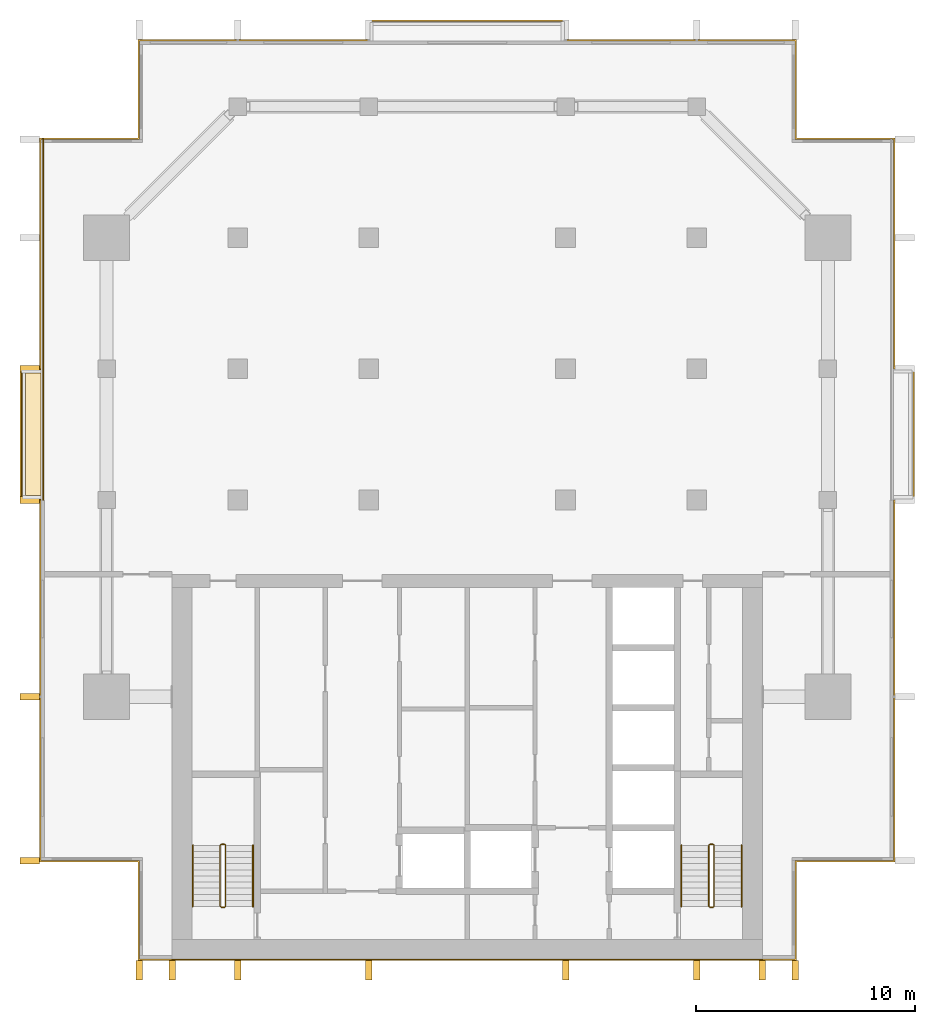
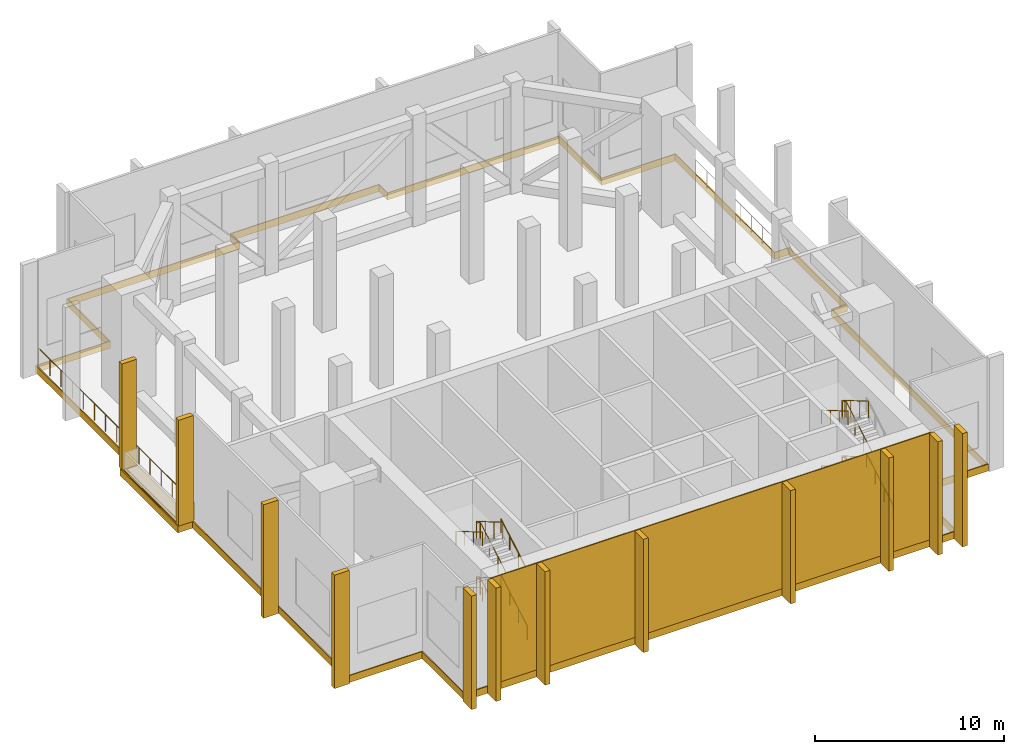
# One storey, part 8 of 9: 12 shading devices, 10 railings, 7 coverings.
"""IFC4 building model written with IfcOpenShell, lengths in metres."""

from ifc_helpers import new_model, si_unit, direction, frame, origin, origin_2d, place, context, subcontext, project, spatial, polyline, rectangle, circle, outline, extrude, material, layer, layer_set, type_object, element, save


model = new_model("IFC4")

# Units and contexts
model_context = context("Model", 3, precision=1e-05, world=origin(), true_north=direction((0.0, 1.0)))
body_context = subcontext(model_context, "Body", "Model", "MODEL_VIEW")
ifc_project = project(units=[si_unit("LENGTHUNIT", "METRE"), si_unit("AREAUNIT", "SQUARE_METRE"), si_unit("VOLUMEUNIT", "CUBIC_METRE"), si_unit("PLANEANGLEUNIT", "RADIAN"), si_unit("MASSUNIT", "GRAM", prefix="KILO")], contexts=[model_context])

# Site, building, storey
site_placement = place(None, origin())
site = spatial("IfcSite", under=ifc_project, at=site_placement, CompositionType="ELEMENT")
building_placement = place(site_placement, origin())
building = spatial("IfcBuilding", under=site, at=building_placement, Name="Finial Court Residences", CompositionType="ELEMENT")
storey_placement = place(building_placement, frame((0.0, 0.0, 248.300048828125)))
storey = spatial("IfcBuildingStorey", under=building, at=storey_placement, Name="L63", CompositionType="ELEMENT", Elevation=248.300048828125)

# Coverings
ifc_material_1 = material(Name="Natural limestone", Category="masonry")
ifc_layer_1 = layer(ifc_material_1, 0.06005859375)
ifc_layer_set_1 = layer_set([ifc_layer_1], Name="Limestone cladding to the blind core face 60")
covering_type_1 = type_object("IfcCoveringType", Name="Limestone cladding to the blind core face 60", PredefinedType="CLADDING", material=ifc_layer_set_1)
covering_1_placement = place(storey_placement, origin())
element("IfcCovering", 1, at=covering_1_placement, inside=storey, type_object=covering_type_1, Name="E-L63-CLAD1", PredefinedType="CLADDING", context=body_context, shape_type="SweptSolid", body=[
    extrude(outline(polyline([(-10.5, -25.56005859375), (-10.5, -25.5), (-13.5, -25.5), (-13.5, -25.56005859375), (-10.5, -25.56005859375)])), origin(), (0.0, 0.0, 1.0), 6.89990234375),
])
covering_2_placement = place(storey_placement, origin())
element("IfcCovering", 2, at=covering_2_placement, inside=storey, type_object=covering_type_1, Name="E-L63-CLAD2", PredefinedType="CLADDING", context=body_context, shape_type="SweptSolid", body=[
    extrude(outline(polyline([(-4.5, -25.56005859375), (-4.5, -25.5), (-10.5, -25.5), (-10.5, -25.56005859375), (-4.5, -25.56005859375)])), origin(), (0.0, 0.0, 1.0), 6.89990234375),
])
covering_3_placement = place(storey_placement, origin())
element("IfcCovering", 3, at=covering_3_placement, inside=storey, type_object=covering_type_1, Name="E-L63-CLAD3", PredefinedType="CLADDING", context=body_context, shape_type="SweptSolid", body=[
    extrude(outline(polyline([(4.5, -25.56005859375), (4.5, -25.5), (-4.5, -25.5), (-4.5, -25.56005859375), (4.5, -25.56005859375)])), origin(), (0.0, 0.0, 1.0), 6.89990234375),
])
covering_4_placement = place(storey_placement, origin())
element("IfcCovering", 4, at=covering_4_placement, inside=storey, type_object=covering_type_1, Name="E-L63-CLAD4", PredefinedType="CLADDING", context=body_context, shape_type="SweptSolid", body=[
    extrude(outline(polyline([(10.5, -25.56005859375), (10.5, -25.5), (4.5, -25.5), (4.5, -25.56005859375), (10.5, -25.56005859375)])), origin(), (0.0, 0.0, 1.0), 6.89990234375),
])
covering_5_placement = place(storey_placement, origin())
element("IfcCovering", 5, at=covering_5_placement, inside=storey, type_object=covering_type_1, Name="E-L63-CLAD5", PredefinedType="CLADDING", context=body_context, shape_type="SweptSolid", body=[
    extrude(outline(polyline([(13.5, -25.56005859375), (13.5, -25.5), (10.5, -25.5), (10.5, -25.56005859375), (13.5, -25.56005859375)])), origin(), (0.0, 0.0, 1.0), 6.89990234375),
])

# Shading devices
shading_device_type = type_object("IfcShadingDeviceType", Name="Limestone fin 300 x 900", PredefinedType="USERDEFINED", material=ifc_material_1)
for number, where, z_axis, x_axis, name in (
    (6, (-15.0, -26.010009765625, -0.4501953125), (0.0, 0.0, 1.0), (1.0, 0.0, 0.0), "E-L63-FIN-S13"),
    (7, (-13.5, -26.010009765625, -0.4501953125), (0.0, 0.0, 1.0), (1.0, 0.0, 0.0), "E-L63-FIN-S14"),
    (8, (-10.5, -26.010009765625, -0.4501953125), (0.0, 0.0, 1.0), (1.0, 0.0, 0.0), "E-L63-FIN-S15"),
    (9, (-4.5, -26.010009765625, -0.4501953125), (0.0, 0.0, 1.0), (1.0, 0.0, 0.0), "E-L63-FIN-S16"),
    (10, (4.5, -26.010009765625, -0.4501953125), (0.0, 0.0, 1.0), (1.0, 0.0, 0.0), "E-L63-FIN-S17"),
    (11, (10.5, -26.010009765625, -0.4501953125), (0.0, 0.0, 1.0), (1.0, 0.0, 0.0), "E-L63-FIN-S18"),
    (12, (13.5, -26.010009765625, -0.4501953125), (0.0, 0.0, 1.0), (1.0, 0.0, 0.0), "E-L63-FIN-S19"),
    (13, (15.0, -26.010009765625, -0.4501953125), (0.0, 0.0, 1.0), (1.0, 0.0, 0.0), "E-L63-FIN-S20"),
):
    element("IfcShadingDevice", number, at=place(storey_placement, frame(where, z_axis=z_axis, x_axis=x_axis)), inside=storey, type_object=shading_device_type, Name=name, ObjectType="FIN", PredefinedType="USERDEFINED", context=body_context, shape_type="SweptSolid", body=[
        extrude(rectangle(XDim=0.300048828125, YDim=0.89990234375, at=origin_2d()), origin(), (0.0, 0.0, 1.0), 7.330078125),
    ])
for number, where, z_axis, x_axis, name in (
    (14, (-20.010009765625, -21.0, -0.4501953125), (0.0, 0.0, 1.0), (1.0, 0.0, 0.0), "E-L63-FIN-W21"),
    (15, (-20.010009765625, -13.5, -0.4501953125), (0.0, 0.0, 1.0), (1.0, 0.0, 0.0), "E-L63-FIN-W22"),
):
    element("IfcShadingDevice", number, at=place(storey_placement, frame(where, z_axis=z_axis, x_axis=x_axis)), inside=storey, type_object=shading_device_type, Name=name, ObjectType="FIN", PredefinedType="USERDEFINED", context=body_context, shape_type="SweptSolid", body=[
        extrude(rectangle(XDim=0.89990234375, YDim=0.300048828125, at=origin_2d()), origin(), (0.0, 0.0, 1.0), 7.330078125),
    ])
for number, where, z_axis, x_axis, name in (
    (16, (-20.010009765625, -4.5, 0.0400390625), (0.0, 0.0, 1.0), (1.0, 0.0, 0.0), "E-L63-FIN-W23"),
    (17, (-20.010009765625, 1.5, 0.0400390625), (0.0, 0.0, 1.0), (1.0, 0.0, 0.0), "E-L63-FIN-W24"),
):
    element("IfcShadingDevice", number, at=place(storey_placement, frame(where, z_axis=z_axis, x_axis=x_axis)), inside=storey, type_object=shading_device_type, Name=name, ObjectType="FIN", PredefinedType="USERDEFINED", context=body_context, shape_type="SweptSolid", body=[
        extrude(rectangle(XDim=0.89990234375, YDim=0.300048828125, at=origin_2d()), origin(), (0.0, 0.0, 1.0), 6.840087890625),
    ])

# Coverings
ifc_material_2 = material(Name="Pale limestone", Category="masonry")
ifc_layer_2 = layer(ifc_material_2, 0.06005859375)
ifc_layer_set_2 = layer_set([ifc_layer_2], Name="Pale limestone slab-edge band 60")
covering_type_2 = type_object("IfcCoveringType", Name="Pale limestone slab-edge band 60", PredefinedType="CLADDING", material=ifc_layer_set_2)
covering_6_placement = place(storey_placement, frame((0.0, 0.0, -0.449951171875)))
element("IfcCovering", 18, at=covering_6_placement, inside=storey, type_object=covering_type_2, Name="E-L63-BAND1", PredefinedType="CLADDING", context=body_context, shape_type="SweptSolid", body=[
    extrude(outline(polyline([(-15.06005859375, -21.06005859375), (-19.56005859375, -21.06005859375), (-19.56005859375, -4.56005859375), (-20.4599609375, -4.56005859375), (-20.4599609375, 1.56005859375), (-19.56005859375, 1.56005859375), (-19.56005859375, 12.06005859375), (-15.06005859375, 12.06005859375), (-15.06005859375, 16.56005859375), (-4.56005859375, 16.56005859375), (-4.56005859375, 17.4599609375), (4.56005859375, 17.4599609375), (4.56005859375, 16.56005859375), (15.06005859375, 16.56005859375), (15.06005859375, 12.06005859375), (19.56005859375, 12.06005859375), (19.56005859375, 1.56005859375), (20.4599609375, 1.56005859375), (20.4599609375, -4.56005859375), (19.56005859375, -4.56005859375), (19.56005859375, -21.06005859375), (15.06005859375, -21.06005859375), (15.06005859375, -25.56005859375), (-15.06005859375, -25.56005859375), (-15.06005859375, -21.06005859375)]), holes=[polyline([(15.0, -25.5), (15.0, -21.0), (19.5, -21.0), (19.5, -4.5), (20.39990234375, -4.5), (20.39990234375, 1.5), (19.5, 1.5), (19.5, 12.0), (15.0, 12.0), (15.0, 16.5), (4.5, 16.5), (4.5, 17.39990234375), (-4.5, 17.39990234375), (-4.5, 16.5), (-15.0, 16.5), (-15.0, 12.0), (-19.5, 12.0), (-19.5, 1.5), (-20.39990234375, 1.5), (-20.39990234375, -4.5), (-19.5, -4.5), (-19.5, -21.0), (-15.0, -21.0), (-15.0, -25.5), (15.0, -25.5)])]), origin(), (0.0, 0.0, 1.0), 0.449951171875),
])
ifc_material_3 = material(Name="Bitumen membrane")
ifc_layer_3 = layer(ifc_material_3, 0.0400390625)
ifc_layer_set_3 = layer_set([ifc_layer_3], Name="Push box roofing, bitumen membrane 40")
covering_type_3 = type_object("IfcCoveringType", Name="Push box roofing, bitumen membrane 40", PredefinedType="ROOFING", material=ifc_layer_set_3)
covering_7_placement = place(storey_placement, origin())
element("IfcCovering", 19, at=covering_7_placement, inside=storey, type_object=covering_type_3, Name="E-L63-LED1b", PredefinedType="ROOFING", context=body_context, shape_type="SweptSolid", body=[
    extrude(outline(polyline([(-19.5, 1.5), (-19.5, -4.5), (-20.39990234375, -4.5), (-20.39990234375, 1.300048828125), (-20.35009765625, 1.300048828125), (-20.35009765625, -4.300048828125), (-20.35009765625, -4.300048828125), (-20.35009765625, -4.449951171875), (-19.510009765625, -4.449951171875), (-19.510009765625, -4.300048828125), (-20.199951171875, -4.300048828125), (-20.199951171875, 1.300048828125), (-19.510009765625, 1.300048828125), (-19.510009765625, 1.449951171875), (-20.199951171875, 1.449951171875), (-20.199951171875, 1.5), (-19.5, 1.5)])), origin(), (0.0, 0.0, 1.0), 0.0400390625),
])

# Railings
ifc_material_4 = material(Name="Stainless steel railing", Category="steel")
railing_type_1 = type_object("IfcRailingType", Name="Stair guard 1100", PredefinedType="GUARDRAIL", material=ifc_material_4)
railing_1_placement = place(storey_placement, frame((-11.10009765625, -23.14990234375, 0.0)))
element("IfcRailing", 20, at=railing_1_placement, inside=storey, type_object=railing_type_1, Name="L63 ST-1 stair guard 1", PredefinedType="GUARDRAIL", context=body_context, shape_type="SweptSolid", body=[
    extrude(circle(Radius=0.02392578125, at=origin_2d()), frame((0.0, 0.0, 1.076171875), z_axis=(-1.0, 0.0, 0.0), x_axis=(0.0, -1.0, 0.0)), (0.0, 0.0, 1.0), 0.14990234375),
    extrude(circle(Radius=0.02392578125, at=origin_2d()), frame((-0.14990234375, 0.0, 1.076171875), z_axis=(0.760004195007, 0.189305074214, 0.621737253547), x_axis=(-0.241699205484, 0.970351222016, 0.0)), (0.0, 0.0, 1.0), 0.26318359375),
    extrude(circle(Radius=0.02392578125, at=origin_2d()), frame((0.050048828125, 0.0498046875, 1.23974609375), z_axis=(0.0, 0.863360870873, 0.504586966384), x_axis=(-1.0, 0.0, 0.0)), (0.0, 0.0, 1.0), 3.2431640625),
    extrude(circle(Radius=0.02392578125, at=origin_2d()), frame((0.050048828125, 2.849853515625, 2.8759765625), z_axis=(-0.707106781187, 0.707106781187, 0.0), x_axis=(-0.707106781187, -0.707106781187, 0.0)), (0.0, 0.0, 1.0), 0.07080078125),
    extrude(circle(Radius=0.02392578125, at=origin_2d()), frame((0.0, 2.89990234375, 2.8759765625), z_axis=(-1.0, 0.0, 0.0), x_axis=(0.0, -1.0, 0.0)), (0.0, 0.0, 1.0), 0.14990234375),
    extrude(circle(Radius=0.02392578125, at=origin_2d()), frame((-0.14990234375, 2.89990234375, 2.8759765625), z_axis=(-0.280808744504, -0.280808744504, 0.917765164963), x_axis=(0.707106781187, -0.707106781187, 0.0)), (0.0, 0.0, 1.0), 0.17822265625),
    extrude(circle(Radius=0.02392578125, at=origin_2d()), frame((-0.199951171875, 2.849853515625, 3.03955078125), z_axis=(0.0, -0.863393664356, 0.504530851732), x_axis=(1.0, 0.0, 0.0)), (0.0, 0.0, 1.0), 3.2431640625),
    extrude(circle(Radius=0.02392578125, at=origin_2d()), frame((-0.199951171875, 0.0498046875, 4.67578125), z_axis=(0.970351222016, -0.241699205484, 0.0), x_axis=(0.241699205484, 0.970351222016, 0.0)), (0.0, 0.0, 1.0), 0.2060546875),
    extrude(circle(Radius=0.02392578125, at=origin_2d()), frame((0.0, 0.0, 4.67578125), z_axis=(-1.0, 0.0, 0.0), x_axis=(0.0, -1.0, 0.0)), (0.0, 0.0, 1.0), 0.14990234375),
    extrude(circle(Radius=0.02392578125, at=origin_2d()), frame((-0.14990234375, 0.0, 4.67578125), z_axis=(0.759565762229, 0.189195867515, 0.622306015208), x_axis=(-0.241699205484, 0.970351222016, 0.0)), (0.0, 0.0, 1.0), 0.26318359375),
    extrude(circle(Radius=0.02392578125, at=origin_2d()), frame((0.050048828125, 0.0498046875, 4.83984375), z_axis=(0.0, 0.863393664356, 0.504530851732), x_axis=(-1.0, 0.0, 0.0)), (0.0, 0.0, 1.0), 3.2431640625),
    extrude(circle(Radius=0.02392578125, at=origin_2d()), frame((0.050048828125, 2.849853515625, 6.47607421875), z_axis=(-0.707106781187, 0.707106781187, 0.0), x_axis=(-0.707106781187, -0.707106781187, 0.0)), (0.0, 0.0, 1.0), 0.07080078125),
    extrude(circle(Radius=0.02392578125, at=origin_2d()), frame((0.0, 2.89990234375, 6.47607421875), z_axis=(-1.0, 0.0, 0.0), x_axis=(0.0, -1.0, 0.0)), (0.0, 0.0, 1.0), 0.14990234375),
    extrude(circle(Radius=0.02392578125, at=origin_2d()), frame((-0.14990234375, 2.89990234375, 6.47607421875), z_axis=(-0.280808744504, -0.280808744504, 0.917765164963), x_axis=(0.707106781187, -0.707106781187, 0.0)), (0.0, 0.0, 1.0), 0.17822265625),
    extrude(circle(Radius=0.02392578125, at=origin_2d()), frame((-0.199951171875, 2.849853515625, 6.6396484375), z_axis=(0.0, -0.863360870873, 0.504586966384), x_axis=(1.0, 0.0, 0.0)), (0.0, 0.0, 1.0), 3.2431640625),
    extrude(circle(Radius=0.02099609375, at=origin_2d()), origin(), (0.0, 0.0, 1.0), 1.052001953125),
    extrude(circle(Radius=0.02099609375, at=origin_2d()), frame((-0.14990234375, 0.0, 0.0)), (0.0, 0.0, 1.0), 1.052001953125),
    extrude(circle(Radius=0.02099609375, at=origin_2d()), frame((0.050048828125, 0.0498046875, 0.16357421875)), (0.0, 0.0, 1.0), 1.052001953125),
    extrude(circle(Radius=0.02099609375, at=origin_2d()), frame((0.050048828125, 0.983154296875, 0.708984375)), (0.0, 0.0, 1.0), 1.052001953125),
    extrude(circle(Radius=0.02099609375, at=origin_2d()), frame((0.050048828125, 1.91650390625, 1.254638671875)), (0.0, 0.0, 1.0), 1.052001953125),
    extrude(circle(Radius=0.02099609375, at=origin_2d()), frame((0.050048828125, 2.849853515625, 1.800048828125)), (0.0, 0.0, 1.0), 1.052001953125),
    extrude(circle(Radius=0.02099609375, at=origin_2d()), frame((0.0, 2.89990234375, 1.800048828125)), (0.0, 0.0, 1.0), 1.052001953125),
    extrude(circle(Radius=0.02099609375, at=origin_2d()), frame((-0.14990234375, 2.89990234375, 1.800048828125)), (0.0, 0.0, 1.0), 1.052001953125),
    extrude(circle(Radius=0.02099609375, at=origin_2d()), frame((-0.199951171875, 2.849853515625, 1.963623046875)), (0.0, 0.0, 1.0), 1.052001953125),
    extrude(circle(Radius=0.02099609375, at=origin_2d()), frame((-0.199951171875, 1.91650390625, 2.509033203125)), (0.0, 0.0, 1.0), 1.052001953125),
    extrude(circle(Radius=0.02099609375, at=origin_2d()), frame((-0.199951171875, 0.983154296875, 3.054443359375)), (0.0, 0.0, 1.0), 1.052001953125),
    extrude(circle(Radius=0.02099609375, at=origin_2d()), frame((-0.199951171875, 0.0498046875, 3.599853515625)), (0.0, 0.0, 1.0), 1.052001953125),
    extrude(circle(Radius=0.02099609375, at=origin_2d()), frame((0.0, 0.0, 3.599853515625)), (0.0, 0.0, 1.0), 1.052001953125),
    extrude(circle(Radius=0.02099609375, at=origin_2d()), frame((-0.14990234375, 0.0, 3.599853515625)), (0.0, 0.0, 1.0), 1.052001953125),
    extrude(circle(Radius=0.02099609375, at=origin_2d()), frame((0.050048828125, 0.0498046875, 3.763671875)), (0.0, 0.0, 1.0), 1.052001953125),
    extrude(circle(Radius=0.02099609375, at=origin_2d()), frame((0.050048828125, 0.983154296875, 4.30908203125)), (0.0, 0.0, 1.0), 1.052001953125),
    extrude(circle(Radius=0.02099609375, at=origin_2d()), frame((0.050048828125, 1.91650390625, 4.8544921875)), (0.0, 0.0, 1.0), 1.052001953125),
    extrude(circle(Radius=0.02099609375, at=origin_2d()), frame((0.050048828125, 2.849853515625, 5.39990234375)), (0.0, 0.0, 1.0), 1.052001953125),
    extrude(circle(Radius=0.02099609375, at=origin_2d()), frame((0.0, 2.89990234375, 5.39990234375)), (0.0, 0.0, 1.0), 1.052001953125),
    extrude(circle(Radius=0.02099609375, at=origin_2d()), frame((-0.14990234375, 2.89990234375, 5.39990234375)), (0.0, 0.0, 1.0), 1.052001953125),
    extrude(circle(Radius=0.02099609375, at=origin_2d()), frame((-0.199951171875, 2.849853515625, 5.5634765625)), (0.0, 0.0, 1.0), 1.052001953125),
    extrude(circle(Radius=0.02099609375, at=origin_2d()), frame((-0.199951171875, 1.91650390625, 6.10888671875)), (0.0, 0.0, 1.0), 1.052001953125),
    extrude(circle(Radius=0.02099609375, at=origin_2d()), frame((-0.199951171875, 0.983154296875, 6.654541015625)), (0.0, 0.0, 1.0), 1.052001953125),
    extrude(circle(Radius=0.02099609375, at=origin_2d()), frame((-0.199951171875, 0.0498046875, 7.199951171875)), (0.0, 0.0, 1.0), 1.052001953125),
])
railing_2_placement = place(storey_placement, frame((11.25, -23.14990234375, 0.0)))
element("IfcRailing", 21, at=railing_2_placement, inside=storey, type_object=railing_type_1, Name="L63 ST-2 stair guard 1", PredefinedType="GUARDRAIL", context=body_context, shape_type="SweptSolid", body=[
    extrude(circle(Radius=0.02392578125, at=origin_2d()), frame((0.0, 0.0, 1.076171875), z_axis=(-1.0, 0.0, 0.0), x_axis=(0.0, -1.0, 0.0)), (0.0, 0.0, 1.0), 0.14990234375),
    extrude(circle(Radius=0.02392578125, at=origin_2d()), frame((-0.14990234375, 0.0, 1.076171875), z_axis=(0.760004195007, 0.189305074214, 0.621737253547), x_axis=(-0.241699205484, 0.970351222016, 0.0)), (0.0, 0.0, 1.0), 0.26318359375),
    extrude(circle(Radius=0.02392578125, at=origin_2d()), frame((0.050048828125, 0.0498046875, 1.23974609375), z_axis=(0.0, 0.863360870873, 0.504586966384), x_axis=(-1.0, 0.0, 0.0)), (0.0, 0.0, 1.0), 3.2431640625),
    extrude(circle(Radius=0.02392578125, at=origin_2d()), frame((0.050048828125, 2.849853515625, 2.8759765625), z_axis=(-0.707106781187, 0.707106781187, 0.0), x_axis=(-0.707106781187, -0.707106781187, 0.0)), (0.0, 0.0, 1.0), 0.07080078125),
    extrude(circle(Radius=0.02392578125, at=origin_2d()), frame((0.0, 2.89990234375, 2.8759765625), z_axis=(-1.0, 0.0, 0.0), x_axis=(0.0, -1.0, 0.0)), (0.0, 0.0, 1.0), 0.14990234375),
    extrude(circle(Radius=0.02392578125, at=origin_2d()), frame((-0.14990234375, 2.89990234375, 2.8759765625), z_axis=(-0.280808744504, -0.280808744504, 0.917765164963), x_axis=(0.707106781187, -0.707106781187, 0.0)), (0.0, 0.0, 1.0), 0.17822265625),
    extrude(circle(Radius=0.02392578125, at=origin_2d()), frame((-0.199951171875, 2.849853515625, 3.03955078125), z_axis=(0.0, -0.863393664356, 0.504530851732), x_axis=(1.0, 0.0, 0.0)), (0.0, 0.0, 1.0), 3.2431640625),
    extrude(circle(Radius=0.02392578125, at=origin_2d()), frame((-0.199951171875, 0.0498046875, 4.67578125), z_axis=(0.970351222016, -0.241699205484, 0.0), x_axis=(0.241699205484, 0.970351222016, 0.0)), (0.0, 0.0, 1.0), 0.2060546875),
    extrude(circle(Radius=0.02392578125, at=origin_2d()), frame((0.0, 0.0, 4.67578125), z_axis=(-1.0, 0.0, 0.0), x_axis=(0.0, -1.0, 0.0)), (0.0, 0.0, 1.0), 0.14990234375),
    extrude(circle(Radius=0.02392578125, at=origin_2d()), frame((-0.14990234375, 0.0, 4.67578125), z_axis=(0.759565762229, 0.189195867515, 0.622306015208), x_axis=(-0.241699205484, 0.970351222016, 0.0)), (0.0, 0.0, 1.0), 0.26318359375),
    extrude(circle(Radius=0.02392578125, at=origin_2d()), frame((0.050048828125, 0.0498046875, 4.83984375), z_axis=(0.0, 0.863393664356, 0.504530851732), x_axis=(-1.0, 0.0, 0.0)), (0.0, 0.0, 1.0), 3.2431640625),
    extrude(circle(Radius=0.02392578125, at=origin_2d()), frame((0.050048828125, 2.849853515625, 6.47607421875), z_axis=(-0.707106781187, 0.707106781187, 0.0), x_axis=(-0.707106781187, -0.707106781187, 0.0)), (0.0, 0.0, 1.0), 0.07080078125),
    extrude(circle(Radius=0.02392578125, at=origin_2d()), frame((0.0, 2.89990234375, 6.47607421875), z_axis=(-1.0, 0.0, 0.0), x_axis=(0.0, -1.0, 0.0)), (0.0, 0.0, 1.0), 0.14990234375),
    extrude(circle(Radius=0.02392578125, at=origin_2d()), frame((-0.14990234375, 2.89990234375, 6.47607421875), z_axis=(-0.280808744504, -0.280808744504, 0.917765164963), x_axis=(0.707106781187, -0.707106781187, 0.0)), (0.0, 0.0, 1.0), 0.17822265625),
    extrude(circle(Radius=0.02392578125, at=origin_2d()), frame((-0.199951171875, 2.849853515625, 6.6396484375), z_axis=(0.0, -0.863360870873, 0.504586966384), x_axis=(1.0, 0.0, 0.0)), (0.0, 0.0, 1.0), 3.2431640625),
    extrude(circle(Radius=0.02099609375, at=origin_2d()), origin(), (0.0, 0.0, 1.0), 1.052001953125),
    extrude(circle(Radius=0.02099609375, at=origin_2d()), frame((-0.14990234375, 0.0, 0.0)), (0.0, 0.0, 1.0), 1.052001953125),
    extrude(circle(Radius=0.02099609375, at=origin_2d()), frame((0.050048828125, 0.0498046875, 0.16357421875)), (0.0, 0.0, 1.0), 1.052001953125),
    extrude(circle(Radius=0.02099609375, at=origin_2d()), frame((0.050048828125, 0.983154296875, 0.708984375)), (0.0, 0.0, 1.0), 1.052001953125),
    extrude(circle(Radius=0.02099609375, at=origin_2d()), frame((0.050048828125, 1.91650390625, 1.254638671875)), (0.0, 0.0, 1.0), 1.052001953125),
    extrude(circle(Radius=0.02099609375, at=origin_2d()), frame((0.050048828125, 2.849853515625, 1.800048828125)), (0.0, 0.0, 1.0), 1.052001953125),
    extrude(circle(Radius=0.02099609375, at=origin_2d()), frame((0.0, 2.89990234375, 1.800048828125)), (0.0, 0.0, 1.0), 1.052001953125),
    extrude(circle(Radius=0.02099609375, at=origin_2d()), frame((-0.14990234375, 2.89990234375, 1.800048828125)), (0.0, 0.0, 1.0), 1.052001953125),
    extrude(circle(Radius=0.02099609375, at=origin_2d()), frame((-0.199951171875, 2.849853515625, 1.963623046875)), (0.0, 0.0, 1.0), 1.052001953125),
    extrude(circle(Radius=0.02099609375, at=origin_2d()), frame((-0.199951171875, 1.91650390625, 2.509033203125)), (0.0, 0.0, 1.0), 1.052001953125),
    extrude(circle(Radius=0.02099609375, at=origin_2d()), frame((-0.199951171875, 0.983154296875, 3.054443359375)), (0.0, 0.0, 1.0), 1.052001953125),
    extrude(circle(Radius=0.02099609375, at=origin_2d()), frame((-0.199951171875, 0.0498046875, 3.599853515625)), (0.0, 0.0, 1.0), 1.052001953125),
    extrude(circle(Radius=0.02099609375, at=origin_2d()), frame((0.0, 0.0, 3.599853515625)), (0.0, 0.0, 1.0), 1.052001953125),
    extrude(circle(Radius=0.02099609375, at=origin_2d()), frame((-0.14990234375, 0.0, 3.599853515625)), (0.0, 0.0, 1.0), 1.052001953125),
    extrude(circle(Radius=0.02099609375, at=origin_2d()), frame((0.050048828125, 0.0498046875, 3.763671875)), (0.0, 0.0, 1.0), 1.052001953125),
    extrude(circle(Radius=0.02099609375, at=origin_2d()), frame((0.050048828125, 0.983154296875, 4.30908203125)), (0.0, 0.0, 1.0), 1.052001953125),
    extrude(circle(Radius=0.02099609375, at=origin_2d()), frame((0.050048828125, 1.91650390625, 4.8544921875)), (0.0, 0.0, 1.0), 1.052001953125),
    extrude(circle(Radius=0.02099609375, at=origin_2d()), frame((0.050048828125, 2.849853515625, 5.39990234375)), (0.0, 0.0, 1.0), 1.052001953125),
    extrude(circle(Radius=0.02099609375, at=origin_2d()), frame((0.0, 2.89990234375, 5.39990234375)), (0.0, 0.0, 1.0), 1.052001953125),
    extrude(circle(Radius=0.02099609375, at=origin_2d()), frame((-0.14990234375, 2.89990234375, 5.39990234375)), (0.0, 0.0, 1.0), 1.052001953125),
    extrude(circle(Radius=0.02099609375, at=origin_2d()), frame((-0.199951171875, 2.849853515625, 5.5634765625)), (0.0, 0.0, 1.0), 1.052001953125),
    extrude(circle(Radius=0.02099609375, at=origin_2d()), frame((-0.199951171875, 1.91650390625, 6.10888671875)), (0.0, 0.0, 1.0), 1.052001953125),
    extrude(circle(Radius=0.02099609375, at=origin_2d()), frame((-0.199951171875, 0.983154296875, 6.654541015625)), (0.0, 0.0, 1.0), 1.052001953125),
    extrude(circle(Radius=0.02099609375, at=origin_2d()), frame((-0.199951171875, 0.0498046875, 7.199951171875)), (0.0, 0.0, 1.0), 1.052001953125),
])
railing_type_2 = type_object("IfcRailingType", Name="Stair handrail 900", PredefinedType="HANDRAIL", material=ifc_material_4)
railing_3_placement = place(storey_placement, frame((-9.800048828125, -23.10009765625, 0.16357421875)))
element("IfcRailing", 22, at=railing_3_placement, inside=storey, type_object=railing_type_2, Name="L63 ST-1 stair handrail 1", PredefinedType="HANDRAIL", context=body_context, shape_type="SweptSolid", body=[
    extrude(circle(Radius=0.02392578125, at=origin_2d()), frame((0.0, 0.0, 0.8759765625), z_axis=(0.0, 0.863360870873, 0.504586966384), x_axis=(-1.0, 0.0, 0.0)), (0.0, 0.0, 1.0), 3.2431640625),
    extrude(circle(Radius=0.02099609375, at=origin_2d()), origin(), (0.0, 0.0, 1.0), 0.851806640625),
    extrude(circle(Radius=0.02099609375, at=origin_2d()), frame((0.0, 0.933349609375, 0.54541015625)), (0.0, 0.0, 1.0), 0.851806640625),
    extrude(circle(Radius=0.02099609375, at=origin_2d()), frame((0.0, 1.86669921875, 1.091064453125)), (0.0, 0.0, 1.0), 0.851806640625),
    extrude(circle(Radius=0.02099609375, at=origin_2d()), frame((0.0, 2.800048828125, 1.636474609375)), (0.0, 0.0, 1.0), 0.851806640625),
])
railing_4_placement = place(storey_placement, frame((-12.550048828125, -20.300048828125, 1.963623046875)))
element("IfcRailing", 23, at=railing_4_placement, inside=storey, type_object=railing_type_2, Name="L63 ST-1 stair handrail 2", PredefinedType="HANDRAIL", context=body_context, shape_type="SweptSolid", body=[
    extrude(circle(Radius=0.02392578125, at=origin_2d()), frame((0.0, 0.0, 0.8759765625), z_axis=(0.0, -0.863393664356, 0.504530851732), x_axis=(1.0, 0.0, 0.0)), (0.0, 0.0, 1.0), 3.2431640625),
    extrude(circle(Radius=0.02099609375, at=origin_2d()), origin(), (0.0, 0.0, 1.0), 0.851806640625),
    extrude(circle(Radius=0.02099609375, at=origin_2d()), frame((0.0, -0.933349609375, 0.54541015625)), (0.0, 0.0, 1.0), 0.851806640625),
    extrude(circle(Radius=0.02099609375, at=origin_2d()), frame((0.0, -1.86669921875, 1.0908203125)), (0.0, 0.0, 1.0), 0.851806640625),
    extrude(circle(Radius=0.02099609375, at=origin_2d()), frame((0.0, -2.800048828125, 1.63623046875)), (0.0, 0.0, 1.0), 0.851806640625),
])
railing_5_placement = place(storey_placement, frame((-9.800048828125, -23.10009765625, 3.763671875)))
element("IfcRailing", 24, at=railing_5_placement, inside=storey, type_object=railing_type_2, Name="L63 ST-1 stair handrail 3", PredefinedType="HANDRAIL", context=body_context, shape_type="SweptSolid", body=[
    extrude(circle(Radius=0.02392578125, at=origin_2d()), frame((0.0, 0.0, 0.8759765625), z_axis=(0.0, 0.863393664356, 0.504530851732), x_axis=(-1.0, 0.0, 0.0)), (0.0, 0.0, 1.0), 3.2431640625),
    extrude(circle(Radius=0.02099609375, at=origin_2d()), origin(), (0.0, 0.0, 1.0), 0.851806640625),
    extrude(circle(Radius=0.02099609375, at=origin_2d()), frame((0.0, 0.933349609375, 0.54541015625)), (0.0, 0.0, 1.0), 0.851806640625),
    extrude(circle(Radius=0.02099609375, at=origin_2d()), frame((0.0, 1.86669921875, 1.0908203125)), (0.0, 0.0, 1.0), 0.851806640625),
    extrude(circle(Radius=0.02099609375, at=origin_2d()), frame((0.0, 2.800048828125, 1.63623046875)), (0.0, 0.0, 1.0), 0.851806640625),
])
railing_6_placement = place(storey_placement, frame((-12.550048828125, -20.300048828125, 5.5634765625)))
element("IfcRailing", 25, at=railing_6_placement, inside=storey, type_object=railing_type_2, Name="L63 ST-1 stair handrail 4", PredefinedType="HANDRAIL", context=body_context, shape_type="SweptSolid", body=[
    extrude(circle(Radius=0.02392578125, at=origin_2d()), frame((0.0, 0.0, 0.8759765625), z_axis=(0.0, -0.863360870873, 0.504586966384), x_axis=(1.0, 0.0, 0.0)), (0.0, 0.0, 1.0), 3.2431640625),
    extrude(circle(Radius=0.02099609375, at=origin_2d()), origin(), (0.0, 0.0, 1.0), 0.851806640625),
    extrude(circle(Radius=0.02099609375, at=origin_2d()), frame((0.0, -0.933349609375, 0.54541015625)), (0.0, 0.0, 1.0), 0.851806640625),
    extrude(circle(Radius=0.02099609375, at=origin_2d()), frame((0.0, -1.86669921875, 1.091064453125)), (0.0, 0.0, 1.0), 0.851806640625),
    extrude(circle(Radius=0.02099609375, at=origin_2d()), frame((0.0, -2.800048828125, 1.636474609375)), (0.0, 0.0, 1.0), 0.851806640625),
])
railing_7_placement = place(storey_placement, frame((12.550048828125, -23.10009765625, 0.16357421875)))
element("IfcRailing", 26, at=railing_7_placement, inside=storey, type_object=railing_type_2, Name="L63 ST-2 stair handrail 1", PredefinedType="HANDRAIL", context=body_context, shape_type="SweptSolid", body=[
    extrude(circle(Radius=0.02392578125, at=origin_2d()), frame((0.0, 0.0, 0.8759765625), z_axis=(0.0, 0.863360870873, 0.504586966384), x_axis=(-1.0, 0.0, 0.0)), (0.0, 0.0, 1.0), 3.2431640625),
    extrude(circle(Radius=0.02099609375, at=origin_2d()), origin(), (0.0, 0.0, 1.0), 0.851806640625),
    extrude(circle(Radius=0.02099609375, at=origin_2d()), frame((0.0, 0.933349609375, 0.54541015625)), (0.0, 0.0, 1.0), 0.851806640625),
    extrude(circle(Radius=0.02099609375, at=origin_2d()), frame((0.0, 1.86669921875, 1.091064453125)), (0.0, 0.0, 1.0), 0.851806640625),
    extrude(circle(Radius=0.02099609375, at=origin_2d()), frame((0.0, 2.800048828125, 1.636474609375)), (0.0, 0.0, 1.0), 0.851806640625),
])
railing_8_placement = place(storey_placement, frame((9.800048828125, -20.300048828125, 1.963623046875)))
element("IfcRailing", 27, at=railing_8_placement, inside=storey, type_object=railing_type_2, Name="L63 ST-2 stair handrail 2", PredefinedType="HANDRAIL", context=body_context, shape_type="SweptSolid", body=[
    extrude(circle(Radius=0.02392578125, at=origin_2d()), frame((0.0, 0.0, 0.8759765625), z_axis=(0.0, -0.863393664356, 0.504530851732), x_axis=(1.0, 0.0, 0.0)), (0.0, 0.0, 1.0), 3.2431640625),
    extrude(circle(Radius=0.02099609375, at=origin_2d()), origin(), (0.0, 0.0, 1.0), 0.851806640625),
    extrude(circle(Radius=0.02099609375, at=origin_2d()), frame((0.0, -0.933349609375, 0.54541015625)), (0.0, 0.0, 1.0), 0.851806640625),
    extrude(circle(Radius=0.02099609375, at=origin_2d()), frame((0.0, -1.86669921875, 1.0908203125)), (0.0, 0.0, 1.0), 0.851806640625),
    extrude(circle(Radius=0.02099609375, at=origin_2d()), frame((0.0, -2.800048828125, 1.63623046875)), (0.0, 0.0, 1.0), 0.851806640625),
])
railing_9_placement = place(storey_placement, frame((9.800048828125, -20.300048828125, 5.5634765625)))
element("IfcRailing", 28, at=railing_9_placement, inside=storey, type_object=railing_type_2, Name="L63 ST-2 stair handrail 4", PredefinedType="HANDRAIL", context=body_context, shape_type="SweptSolid", body=[
    extrude(circle(Radius=0.02392578125, at=origin_2d()), frame((0.0, 0.0, 0.8759765625), z_axis=(0.0, -0.863360870873, 0.504586966384), x_axis=(1.0, 0.0, 0.0)), (0.0, 0.0, 1.0), 3.2431640625),
    extrude(circle(Radius=0.02099609375, at=origin_2d()), origin(), (0.0, 0.0, 1.0), 0.851806640625),
    extrude(circle(Radius=0.02099609375, at=origin_2d()), frame((0.0, -0.933349609375, 0.54541015625)), (0.0, 0.0, 1.0), 0.851806640625),
    extrude(circle(Radius=0.02099609375, at=origin_2d()), frame((0.0, -1.86669921875, 1.091064453125)), (0.0, 0.0, 1.0), 0.851806640625),
    extrude(circle(Radius=0.02099609375, at=origin_2d()), frame((0.0, -2.800048828125, 1.636474609375)), (0.0, 0.0, 1.0), 0.851806640625),
])
ifc_material_5 = material(Name="Bronze anodised aluminium", Category="aluminium")
railing_type_3 = type_object("IfcRailingType", Name="Wind portal guard 1100", PredefinedType="GUARDRAIL", material=ifc_material_5)
railing_10_placement = place(storey_placement, frame((-19.39990234375, -4.5, 0.0)))
element("IfcRailing", 29, at=railing_10_placement, inside=storey, type_object=railing_type_3, Name="E-L63-PORTAL-R2", PredefinedType="GUARDRAIL", context=body_context, shape_type="SweptSolid", body=[
    extrude(circle(Radius=0.02392578125, at=origin_2d()), frame((0.0, 0.0, 1.076171875), z_axis=(0.0, 1.0, 0.0), x_axis=(-1.0, 0.0, 0.0)), (0.0, 0.0, 1.0), 16.5),
    extrude(circle(Radius=0.02099609375, at=origin_2d()), origin(), (0.0, 0.0, 1.0), 1.052001953125),
    extrude(circle(Radius=0.02099609375, at=origin_2d()), frame((0.0, 1.178466796875, 0.0)), (0.0, 0.0, 1.0), 1.052001953125),
    extrude(circle(Radius=0.02099609375, at=origin_2d()), frame((0.0, 2.357177734375, 0.0)), (0.0, 0.0, 1.0), 1.052001953125),
    extrude(circle(Radius=0.02099609375, at=origin_2d()), frame((0.0, 3.53564453125, 0.0)), (0.0, 0.0, 1.0), 1.052001953125),
    extrude(circle(Radius=0.02099609375, at=origin_2d()), frame((0.0, 4.71435546875, 0.0)), (0.0, 0.0, 1.0), 1.052001953125),
    extrude(circle(Radius=0.02099609375, at=origin_2d()), frame((0.0, 5.892822265625, 0.0)), (0.0, 0.0, 1.0), 1.052001953125),
    extrude(circle(Radius=0.02099609375, at=origin_2d()), frame((0.0, 7.071533203125, 0.0)), (0.0, 0.0, 1.0), 1.052001953125),
    extrude(circle(Radius=0.02099609375, at=origin_2d()), frame((0.0, 8.25, 0.0)), (0.0, 0.0, 1.0), 1.052001953125),
    extrude(circle(Radius=0.02099609375, at=origin_2d()), frame((0.0, 9.428466796875, 0.0)), (0.0, 0.0, 1.0), 1.052001953125),
    extrude(circle(Radius=0.02099609375, at=origin_2d()), frame((0.0, 10.607177734375, 0.0)), (0.0, 0.0, 1.0), 1.052001953125),
    extrude(circle(Radius=0.02099609375, at=origin_2d()), frame((0.0, 11.78564453125, 0.0)), (0.0, 0.0, 1.0), 1.052001953125),
    extrude(circle(Radius=0.02099609375, at=origin_2d()), frame((0.0, 12.96435546875, 0.0)), (0.0, 0.0, 1.0), 1.052001953125),
    extrude(circle(Radius=0.02099609375, at=origin_2d()), frame((0.0, 14.142822265625, 0.0)), (0.0, 0.0, 1.0), 1.052001953125),
    extrude(circle(Radius=0.02099609375, at=origin_2d()), frame((0.0, 15.321533203125, 0.0)), (0.0, 0.0, 1.0), 1.052001953125),
    extrude(circle(Radius=0.02099609375, at=origin_2d()), frame((0.0, 16.5, 0.0)), (0.0, 0.0, 1.0), 1.052001953125),
])

save(model, "model.ifc")
